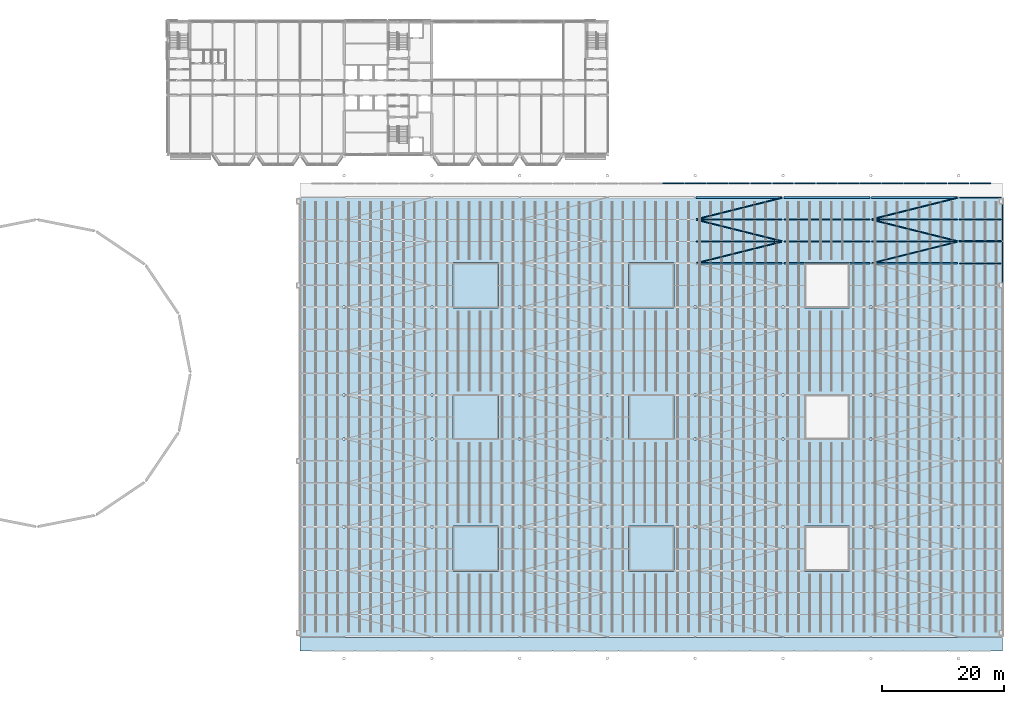
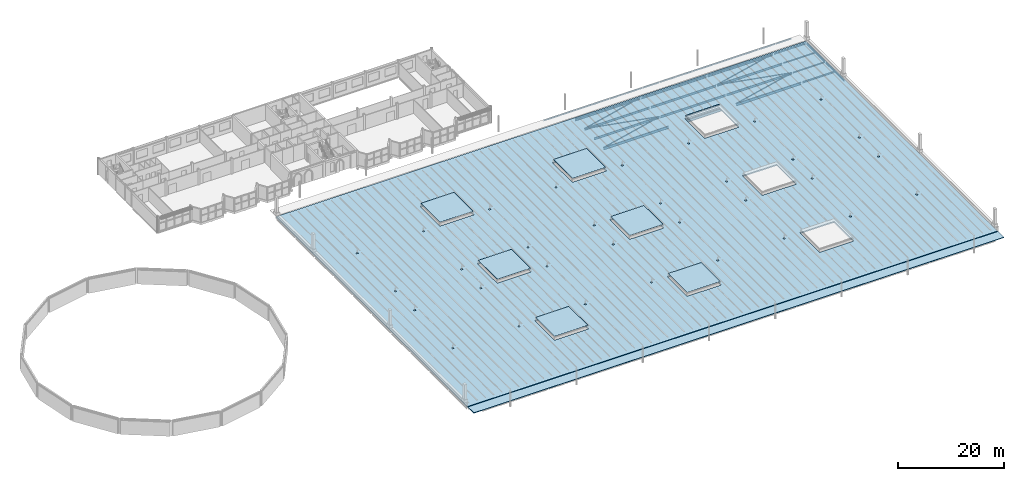
# One storey, part 57 of 120: 33 beams, 8 slabs, 7 members.
"""IFC4 building model written with IfcOpenShell, lengths in metres."""

from ifc_helpers import new_model, si_unit, direction, frame, origin, origin_2d, place, context, subcontext, project, spatial, polyline, hollow_circle, i_section, outline, extrude, material, layer, layer_set, material_profile, profile_set, type_object, element, save


model = new_model("IFC4")

# Units and contexts
model_context = context("Model", 3, precision=1e-05, world=origin(), true_north=direction((0.0, 1.0)))
body_context = subcontext(model_context, "Body", "Model", "MODEL_VIEW")
ifc_project = project(units=[si_unit("LENGTHUNIT", "METRE"), si_unit("AREAUNIT", "SQUARE_METRE"), si_unit("VOLUMEUNIT", "CUBIC_METRE"), si_unit("PLANEANGLEUNIT", "RADIAN"), si_unit("MASSUNIT", "GRAM", prefix="KILO")], contexts=[model_context])

# Site, building, storey
site_placement = place(None, origin())
site = spatial("IfcSite", under=ifc_project, at=site_placement, CompositionType="ELEMENT")
building_placement = place(site_placement, origin())
building = spatial("IfcBuilding", under=site, at=building_placement, Name="Kupolbacken Congress Centre", CompositionType="ELEMENT")
storey_placement = place(building_placement, frame((0.0, 0.0, 21.60009765625)))
storey = spatial("IfcBuildingStorey", under=building, at=storey_placement, Name="L06", CompositionType="ELEMENT", Elevation=21.60009765625)

# Beams
ifc_material_1 = material(Name="Steel S355", Category="steel")
ifc_material_profile_1 = material_profile(ifc_material_1, i_section(OverallWidth=0.10009765625, OverallDepth=0.199951171875, WebThickness=0.005615234375, FlangeThickness=0.008544921875, FilletRadius=0.011962890625, at=origin_2d()), Name="IPE 200")
ifc_profile_set_1 = profile_set([ifc_material_profile_1], Name="Steel S355")
beam_type_1 = type_object("IfcBeamType", Name="B01 beam IPE 200", PredefinedType="BEAM", material=ifc_profile_set_1)
beam_1_placement = place(storey_placement, frame((145.89990234375, 117.550048828125, 0.06982421875), z_axis=(1.0, 0.0, 0.0), x_axis=(0.0, 1.0, 0.0)))
element("IfcBeam", 1, at=beam_1_placement, inside=storey, type_object=beam_type_1, Name="S/edge/HE/N/17", PredefinedType="BEAM", context=body_context, shape_type="SweptSolid", body=[
    extrude(i_section(OverallWidth=0.10009765625, OverallDepth=0.199951171875, WebThickness=0.005615234375, FlangeThickness=0.008544921875, FilletRadius=0.011962890625, at=origin_2d()), origin(), (0.0, 0.0, 1.0), 3.400146484375),
])
for number, where, z_axis, x_axis, name in (
    (2, (149.5, 117.550048828125, 0.06982421875), (1.0, 0.0, 0.0), (0.0, 1.0, 0.0), "S/edge/HE/N/18"),
    (3, (153.10009765625, 117.550048828125, 0.06982421875), (1.0, 0.0, 0.0), (0.0, 1.0, 0.0), "S/edge/HE/N/19"),
):
    element("IfcBeam", number, at=place(storey_placement, frame(where, z_axis=z_axis, x_axis=x_axis)), inside=storey, type_object=beam_type_1, Name=name, PredefinedType="BEAM", context=body_context, shape_type="SweptSolid", body=[
        extrude(i_section(OverallWidth=0.10009765625, OverallDepth=0.199951171875, WebThickness=0.005615234375, FlangeThickness=0.008544921875, FilletRadius=0.011962890625, at=origin_2d()), origin(), (0.0, 0.0, 1.0), 3.39990234375),
    ])
beam_2_placement = place(storey_placement, frame((156.699951171875, 117.550048828125, 0.06982421875), z_axis=(1.0, 0.0, 0.0), x_axis=(0.0, 1.0, 0.0)))
element("IfcBeam", 4, at=beam_2_placement, inside=storey, type_object=beam_type_1, Name="S/edge/HE/N/20", PredefinedType="BEAM", context=body_context, shape_type="SweptSolid", body=[
    extrude(i_section(OverallWidth=0.10009765625, OverallDepth=0.199951171875, WebThickness=0.005615234375, FlangeThickness=0.008544921875, FilletRadius=0.011962890625, at=origin_2d()), origin(), (0.0, 0.0, 1.0), 3.400146484375),
])
beam_3_placement = place(storey_placement, frame((160.300048828125, 117.550048828125, 0.06982421875), z_axis=(1.0, 0.0, 0.0), x_axis=(0.0, 1.0, 0.0)))
element("IfcBeam", 5, at=beam_3_placement, inside=storey, type_object=beam_type_1, Name="S/edge/HE/N/21", PredefinedType="BEAM", context=body_context, shape_type="SweptSolid", body=[
    extrude(i_section(OverallWidth=0.10009765625, OverallDepth=0.199951171875, WebThickness=0.005615234375, FlangeThickness=0.008544921875, FilletRadius=0.011962890625, at=origin_2d()), origin(), (0.0, 0.0, 1.0), 3.39990234375),
])
beam_4_placement = place(storey_placement, frame((163.89990234375, 117.550048828125, 0.06982421875), z_axis=(1.0, 0.0, 0.0), x_axis=(0.0, 1.0, 0.0)))
element("IfcBeam", 6, at=beam_4_placement, inside=storey, type_object=beam_type_1, Name="S/edge/HE/N/22", PredefinedType="BEAM", context=body_context, shape_type="SweptSolid", body=[
    extrude(i_section(OverallWidth=0.10009765625, OverallDepth=0.199951171875, WebThickness=0.005615234375, FlangeThickness=0.008544921875, FilletRadius=0.011962890625, at=origin_2d()), origin(), (0.0, 0.0, 1.0), 3.400146484375),
])
for number, where, z_axis, x_axis, name in (
    (7, (167.5, 117.550048828125, 0.06982421875), (1.0, 0.0, 0.0), (0.0, 1.0, 0.0), "S/edge/HE/N/23"),
    (8, (171.10009765625, 117.550048828125, 0.06982421875), (1.0, 0.0, 0.0), (0.0, 1.0, 0.0), "S/edge/HE/N/24"),
):
    element("IfcBeam", number, at=place(storey_placement, frame(where, z_axis=z_axis, x_axis=x_axis)), inside=storey, type_object=beam_type_1, Name=name, PredefinedType="BEAM", context=body_context, shape_type="SweptSolid", body=[
        extrude(i_section(OverallWidth=0.10009765625, OverallDepth=0.199951171875, WebThickness=0.005615234375, FlangeThickness=0.008544921875, FilletRadius=0.011962890625, at=origin_2d()), origin(), (0.0, 0.0, 1.0), 3.39990234375),
    ])
beam_5_placement = place(storey_placement, frame((174.699951171875, 117.550048828125, 0.06982421875), z_axis=(1.0, 0.0, 0.0), x_axis=(0.0, 1.0, 0.0)))
element("IfcBeam", 9, at=beam_5_placement, inside=storey, type_object=beam_type_1, Name="S/edge/HE/N/25", PredefinedType="BEAM", context=body_context, shape_type="SweptSolid", body=[
    extrude(i_section(OverallWidth=0.10009765625, OverallDepth=0.199951171875, WebThickness=0.005615234375, FlangeThickness=0.008544921875, FilletRadius=0.011962890625, at=origin_2d()), origin(), (0.0, 0.0, 1.0), 3.400146484375),
])
beam_6_placement = place(storey_placement, frame((178.300048828125, 117.550048828125, 0.06982421875), z_axis=(1.0, 0.0, 0.0), x_axis=(0.0, 1.0, 0.0)))
element("IfcBeam", 10, at=beam_6_placement, inside=storey, type_object=beam_type_1, Name="S/edge/HE/N/26", PredefinedType="BEAM", context=body_context, shape_type="SweptSolid", body=[
    extrude(i_section(OverallWidth=0.10009765625, OverallDepth=0.199951171875, WebThickness=0.005615234375, FlangeThickness=0.008544921875, FilletRadius=0.011962890625, at=origin_2d()), origin(), (0.0, 0.0, 1.0), 3.39990234375),
])
beam_7_placement = place(storey_placement, frame((181.89990234375, 117.550048828125, 0.06982421875), z_axis=(1.0, 0.0, 0.0), x_axis=(0.0, 1.0, 0.0)))
element("IfcBeam", 11, at=beam_7_placement, inside=storey, type_object=beam_type_1, Name="S/edge/HE/N/27", PredefinedType="BEAM", context=body_context, shape_type="SweptSolid", body=[
    extrude(i_section(OverallWidth=0.10009765625, OverallDepth=0.199951171875, WebThickness=0.005615234375, FlangeThickness=0.008544921875, FilletRadius=0.011962890625, at=origin_2d()), origin(), (0.0, 0.0, 1.0), 3.400146484375),
])
for number, where, z_axis, x_axis, name in (
    (12, (185.5, 117.550048828125, 0.06982421875), (1.0, 0.0, 0.0), (0.0, 1.0, 0.0), "S/edge/HE/N/28"),
    (13, (189.10009765625, 117.550048828125, 0.06982421875), (1.0, 0.0, 0.0), (0.0, 1.0, 0.0), "S/edge/HE/N/29"),
):
    element("IfcBeam", number, at=place(storey_placement, frame(where, z_axis=z_axis, x_axis=x_axis)), inside=storey, type_object=beam_type_1, Name=name, PredefinedType="BEAM", context=body_context, shape_type="SweptSolid", body=[
        extrude(i_section(OverallWidth=0.10009765625, OverallDepth=0.199951171875, WebThickness=0.005615234375, FlangeThickness=0.008544921875, FilletRadius=0.011962890625, at=origin_2d()), origin(), (0.0, 0.0, 1.0), 3.39990234375),
    ])
beam_8_placement = place(storey_placement, frame((192.699951171875, 117.550048828125, 0.06982421875), z_axis=(1.0, 0.0, 0.0), x_axis=(0.0, 1.0, 0.0)))
element("IfcBeam", 14, at=beam_8_placement, inside=storey, type_object=beam_type_1, Name="S/edge/HE/N/30", PredefinedType="BEAM", context=body_context, shape_type="SweptSolid", body=[
    extrude(i_section(OverallWidth=0.10009765625, OverallDepth=0.199951171875, WebThickness=0.005615234375, FlangeThickness=0.008544921875, FilletRadius=0.011962890625, at=origin_2d()), origin(), (0.0, 0.0, 1.0), 3.400146484375),
])
beam_9_placement = place(storey_placement, frame((196.300048828125, 117.550048828125, 0.06982421875), z_axis=(1.0, 0.0, 0.0), x_axis=(0.0, 1.0, 0.0)))
element("IfcBeam", 15, at=beam_9_placement, inside=storey, type_object=beam_type_1, Name="S/edge/HE/N/31", PredefinedType="BEAM", context=body_context, shape_type="SweptSolid", body=[
    extrude(i_section(OverallWidth=0.10009765625, OverallDepth=0.199951171875, WebThickness=0.005615234375, FlangeThickness=0.008544921875, FilletRadius=0.011962890625, at=origin_2d()), origin(), (0.0, 0.0, 1.0), 3.39990234375),
])
ifc_material_2 = material(Name="Steel S355", Category="steel")
ifc_material_profile_2 = material_profile(ifc_material_2, i_section(OverallWidth=0.14990234375, OverallDepth=0.300048828125, WebThickness=0.007080078125, FlangeThickness=0.0107421875, FilletRadius=0.014892578125, at=origin_2d()), Name="IPE 300")
ifc_profile_set_2 = profile_set([ifc_material_profile_2], Name="Steel S355")
beam_type_2 = type_object("IfcBeamType", Name="B04 beam IPE 300", PredefinedType="BEAM", material=ifc_profile_set_2)
for number, where, z_axis, x_axis, name in (
    (16, (194.544921875, 108.0, -0.150146484375), (1.0, 0.0, 0.0), (0.0, 1.0, 0.0), "HR/P18-08"),
    (17, (194.544921875, 111.60009765625, -0.150146484375), (1.0, 0.0, 0.0), (0.0, 1.0, 0.0), "HR/P19-08"),
):
    element("IfcBeam", number, at=place(storey_placement, frame(where, z_axis=z_axis, x_axis=x_axis)), inside=storey, type_object=beam_type_2, Name=name, PredefinedType="BEAM", context=body_context, shape_type="SweptSolid", body=[
        extrude(i_section(OverallWidth=0.14990234375, OverallDepth=0.300048828125, WebThickness=0.007080078125, FlangeThickness=0.0107421875, FilletRadius=0.014892578125, at=origin_2d()), origin(), (0.0, 0.0, 1.0), 6.9150390625),
    ])
ifc_material_3 = material(Name="Steel S355", Category="steel")
ifc_material_profile_3 = material_profile(ifc_material_3, i_section(OverallWidth=0.179931640625, OverallDepth=0.39990234375, WebThickness=0.008544921875, FlangeThickness=0.013427734375, FilletRadius=0.02099609375, at=origin_2d()), Name="IPE 400")
ifc_profile_set_3 = profile_set([ifc_material_profile_3], Name="Steel S355")
beam_type_3 = type_object("IfcBeamType", Name="B07 beam IPE 400", PredefinedType="BEAM", material=ifc_profile_set_3)
for number, where, z_axis, x_axis, name in (
    (18, (201.60009765625, 100.929931640625, -0.2001953125), (0.0, 1.0, 0.0), (-1.0, 0.0, 0.0), "HR/GE09"),
    (19, (201.60009765625, 108.1298828125, -0.2001953125), (0.0, 1.0, 0.0), (-1.0, 0.0, 0.0), "HR/GE10"),
):
    element("IfcBeam", number, at=place(storey_placement, frame(where, z_axis=z_axis, x_axis=x_axis)), inside=storey, type_object=beam_type_3, Name=name, PredefinedType="BEAM", context=body_context, shape_type="SweptSolid", body=[
        extrude(i_section(OverallWidth=0.179931640625, OverallDepth=0.39990234375, WebThickness=0.008544921875, FlangeThickness=0.013427734375, FilletRadius=0.02099609375, at=origin_2d()), origin(), (0.0, 0.0, 1.0), 6.940185546875),
    ])
for number, where, z_axis, x_axis, name in (
    (20, (194.544921875, 104.39990234375, -0.2001953125), (1.0, 0.0, 0.0), (0.0, 1.0, 0.0), "HR/X17-08"),
    (21, (194.544921875, 115.199951171875, -0.2001953125), (1.0, 0.0, 0.0), (0.0, 1.0, 0.0), "HR/E20-08"),
):
    element("IfcBeam", number, at=place(storey_placement, frame(where, z_axis=z_axis, x_axis=x_axis)), inside=storey, type_object=beam_type_3, Name=name, PredefinedType="BEAM", context=body_context, shape_type="SweptSolid", body=[
        extrude(i_section(OverallWidth=0.179931640625, OverallDepth=0.39990234375, WebThickness=0.008544921875, FlangeThickness=0.013427734375, FilletRadius=0.02099609375, at=origin_2d()), origin(), (0.0, 0.0, 1.0), 6.9150390625),
    ])
ifc_material_4 = material(Name="Steel S355", Category="steel")
ifc_material_profile_4 = material_profile(ifc_material_4, i_section(OverallWidth=0.199951171875, OverallDepth=0.5, WebThickness=0.01025390625, FlangeThickness=0.01611328125, FilletRadius=0.02099609375, at=origin_2d()), Name="IPE 500")
ifc_profile_set_4 = profile_set([ifc_material_profile_4], Name="Steel S355")
beam_type_4 = type_object("IfcBeamType", Name="B09 beam IPE 500", PredefinedType="BEAM", material=ifc_profile_set_4)
beam_10_placement = place(storey_placement, frame((151.344970703125, 108.0, -0.25), z_axis=(1.0, 0.0, 0.0), x_axis=(0.0, 1.0, 0.0)))
element("IfcBeam", 22, at=beam_10_placement, inside=storey, type_object=beam_type_4, Name="HR/P18-05", PredefinedType="BEAM", context=body_context, shape_type="SweptSolid", body=[
    extrude(i_section(OverallWidth=0.199951171875, OverallDepth=0.5, WebThickness=0.01025390625, FlangeThickness=0.01611328125, FilletRadius=0.02099609375, at=origin_2d()), origin(), (0.0, 0.0, 1.0), 14.110107421875),
])
for number, where, z_axis, x_axis, name in (
    (23, (165.7451171875, 108.0, -0.25), (1.0, 0.0, 0.0), (0.0, 1.0, 0.0), "HR/P18-06"),
    (24, (180.14501953125, 108.0, -0.25), (1.0, 0.0, 0.0), (0.0, 1.0, 0.0), "HR/P18-07"),
):
    element("IfcBeam", number, at=place(storey_placement, frame(where, z_axis=z_axis, x_axis=x_axis)), inside=storey, type_object=beam_type_4, Name=name, PredefinedType="BEAM", context=body_context, shape_type="SweptSolid", body=[
        extrude(i_section(OverallWidth=0.199951171875, OverallDepth=0.5, WebThickness=0.01025390625, FlangeThickness=0.01611328125, FilletRadius=0.02099609375, at=origin_2d()), origin(), (0.0, 0.0, 1.0), 14.10986328125),
    ])
beam_11_placement = place(storey_placement, frame((151.344970703125, 111.60009765625, -0.25), z_axis=(1.0, 0.0, 0.0), x_axis=(0.0, 1.0, 0.0)))
element("IfcBeam", 25, at=beam_11_placement, inside=storey, type_object=beam_type_4, Name="HR/P19-05", PredefinedType="BEAM", context=body_context, shape_type="SweptSolid", body=[
    extrude(i_section(OverallWidth=0.199951171875, OverallDepth=0.5, WebThickness=0.01025390625, FlangeThickness=0.01611328125, FilletRadius=0.02099609375, at=origin_2d()), origin(), (0.0, 0.0, 1.0), 14.110107421875),
])
for number, where, z_axis, x_axis, name in (
    (26, (165.7451171875, 111.60009765625, -0.25), (1.0, 0.0, 0.0), (0.0, 1.0, 0.0), "HR/P19-06"),
    (27, (180.14501953125, 111.60009765625, -0.25), (1.0, 0.0, 0.0), (0.0, 1.0, 0.0), "HR/P19-07"),
):
    element("IfcBeam", number, at=place(storey_placement, frame(where, z_axis=z_axis, x_axis=x_axis)), inside=storey, type_object=beam_type_4, Name=name, PredefinedType="BEAM", context=body_context, shape_type="SweptSolid", body=[
        extrude(i_section(OverallWidth=0.199951171875, OverallDepth=0.5, WebThickness=0.01025390625, FlangeThickness=0.01611328125, FilletRadius=0.02099609375, at=origin_2d()), origin(), (0.0, 0.0, 1.0), 14.10986328125),
    ])
ifc_material_5 = material(Name="Steel S355", Category="steel")
ifc_material_profile_5 = material_profile(ifc_material_5, i_section(OverallWidth=0.219970703125, OverallDepth=0.60009765625, WebThickness=0.011962890625, FlangeThickness=0.01904296875, FilletRadius=0.02392578125, at=origin_2d()), Name="IPE 600")
ifc_profile_set_5 = profile_set([ifc_material_profile_5], Name="Steel S355")
beam_type_5 = type_object("IfcBeamType", Name="B11 beam IPE 600", PredefinedType="BEAM", material=ifc_profile_set_5)
beam_12_placement = place(storey_placement, frame((151.344970703125, 104.39990234375, -0.300048828125), z_axis=(1.0, 0.0, 0.0), x_axis=(0.0, 1.0, 0.0)))
element("IfcBeam", 28, at=beam_12_placement, inside=storey, type_object=beam_type_5, Name="HR/X17-05", PredefinedType="BEAM", context=body_context, shape_type="SweptSolid", body=[
    extrude(i_section(OverallWidth=0.219970703125, OverallDepth=0.60009765625, WebThickness=0.011962890625, FlangeThickness=0.01904296875, FilletRadius=0.02392578125, at=origin_2d()), origin(), (0.0, 0.0, 1.0), 14.110107421875),
])
for number, where, z_axis, x_axis, name in (
    (29, (165.7451171875, 104.39990234375, -0.300048828125), (1.0, 0.0, 0.0), (0.0, 1.0, 0.0), "HR/X17-06"),
    (30, (180.14501953125, 104.39990234375, -0.300048828125), (1.0, 0.0, 0.0), (0.0, 1.0, 0.0), "HR/X17-07"),
):
    element("IfcBeam", number, at=place(storey_placement, frame(where, z_axis=z_axis, x_axis=x_axis)), inside=storey, type_object=beam_type_5, Name=name, PredefinedType="BEAM", context=body_context, shape_type="SweptSolid", body=[
        extrude(i_section(OverallWidth=0.219970703125, OverallDepth=0.60009765625, WebThickness=0.011962890625, FlangeThickness=0.01904296875, FilletRadius=0.02392578125, at=origin_2d()), origin(), (0.0, 0.0, 1.0), 14.10986328125),
    ])
ifc_material_6 = material(Name="Steel S355", Category="steel")
ifc_material_profile_6 = material_profile(ifc_material_6, i_section(OverallWidth=0.300048828125, OverallDepth=0.5, WebThickness=0.014404296875, FlangeThickness=0.028076171875, FilletRadius=0.027099609375, at=origin_2d()), Name="HEB 500")
ifc_profile_set_6 = profile_set([ifc_material_profile_6], Name="Steel S355")
beam_type_6 = type_object("IfcBeamType", Name="B20 beam HEB 500", PredefinedType="BEAM", material=ifc_profile_set_6)
beam_13_placement = place(storey_placement, frame((151.344970703125, 115.199951171875, -0.25), z_axis=(1.0, 0.0, 0.0), x_axis=(0.0, 1.0, 0.0)))
element("IfcBeam", 31, at=beam_13_placement, inside=storey, type_object=beam_type_6, Name="HR/E20-05", PredefinedType="BEAM", context=body_context, shape_type="SweptSolid", body=[
    extrude(i_section(OverallWidth=0.300048828125, OverallDepth=0.5, WebThickness=0.014404296875, FlangeThickness=0.028076171875, FilletRadius=0.027099609375, at=origin_2d()), origin(), (0.0, 0.0, 1.0), 14.110107421875),
])
for number, where, z_axis, x_axis, name in (
    (32, (165.7451171875, 115.199951171875, -0.25), (1.0, 0.0, 0.0), (0.0, 1.0, 0.0), "HR/E20-06"),
    (33, (180.14501953125, 115.199951171875, -0.25), (1.0, 0.0, 0.0), (0.0, 1.0, 0.0), "HR/E20-07"),
):
    element("IfcBeam", number, at=place(storey_placement, frame(where, z_axis=z_axis, x_axis=x_axis)), inside=storey, type_object=beam_type_6, Name=name, PredefinedType="BEAM", context=body_context, shape_type="SweptSolid", body=[
        extrude(i_section(OverallWidth=0.300048828125, OverallDepth=0.5, WebThickness=0.014404296875, FlangeThickness=0.028076171875, FilletRadius=0.027099609375, at=origin_2d()), origin(), (0.0, 0.0, 1.0), 14.10986328125),
    ])

# Members
ifc_material_7 = material(Name="Steel S355", Category="steel")
ifc_material_profile_7 = material_profile(ifc_material_7, hollow_circle(Radius=0.084228515625, WallThickness=0.008056640625, at=origin_2d()), Name="CHS 168.3 x 8")
ifc_profile_set_7 = profile_set([ifc_material_profile_7], Name="Steel S355")
member_type = type_object("IfcMemberType", Name="M21 brace CHS 168.3 x 8", PredefinedType="BRACE", material=ifc_profile_set_7)
for number, where, z_axis, x_axis, name in (
    (34, (151.340576171875, 104.43505859375, -0.084228515625), (0.970140526498, 0.24254351949, 0.0), (-0.24254351949, 0.970140526498, 0.0), "HR/RB/05-17"),
    (35, (165.459228515625, 108.03515625, -0.084228515625), (-0.970140526498, 0.24254351949, 0.0), (-0.24254351949, -0.970140526498, 0.0), "HR/RB/05-18"),
    (36, (151.340576171875, 111.63525390625, -0.084228515625), (0.970144473737, 0.242527730535, 0.0), (-0.242527730535, 0.970144473737, 0.0), "HR/RB/05-19"),
    (37, (180.140625, 104.43505859375, -0.084228515625), (0.970140526498, 0.24254351949, 0.0), (-0.24254351949, 0.970140526498, 0.0), "HR/RB/07-17"),
    (38, (194.25927734375, 108.03515625, -0.084228515625), (-0.970140526498, 0.24254351949, 0.0), (-0.24254351949, -0.970140526498, 0.0), "HR/RB/07-18"),
    (39, (180.140625, 111.63525390625, -0.084228515625), (0.970144473737, 0.242527730535, 0.0), (-0.242527730535, 0.970144473737, 0.0), "HR/RB/07-19"),
):
    element("IfcMember", number, at=place(storey_placement, frame(where, z_axis=z_axis, x_axis=x_axis)), inside=storey, type_object=member_type, Name=name, PredefinedType="BRACE", context=body_context, shape_type="SweptSolid", body=[
        extrude(hollow_circle(Radius=0.084228515625, WallThickness=0.008056640625, at=origin_2d()), origin(), (0.0, 0.0, 1.0), 14.55322265625),
    ])
member_placement = place(storey_placement, frame((169.199951171875, 104.39990234375, 0.944091796875), z_axis=(1.0, 0.0, 0.0), x_axis=(0.0, 1.0, 0.0)))
element("IfcMember", 40, at=member_placement, inside=storey, type_object=member_type, Name="RD/RL9/FN", PredefinedType="BRACE", context=body_context, shape_type="SweptSolid", body=[
    extrude(hollow_circle(Radius=0.084228515625, WallThickness=0.008056640625, at=origin_2d()), origin(), (0.0, 0.0, 1.0), 7.199951171875),
])

# Slabs
ifc_material_8 = material(Name="Glass", Category="glass")
ifc_layer_1 = layer(ifc_material_8, 0.028076171875)
ifc_layer_set_1 = layer_set([ifc_layer_1], Name="Glass")
slab_type_1 = type_object("IfcSlabType", Name="GD1 rooflight glass panel 28", PredefinedType="ROOF", material=ifc_layer_set_1)
slab_1_placement = place(storey_placement, frame((0.0, 0.0, 1.018310546875)))
element("IfcSlab", 41, at=slab_1_placement, inside=storey, type_object=slab_type_1, Name="RD/RL1/glass", PredefinedType="ROOF", context=body_context, shape_type="SweptSolid", body=[
    extrude(outline(polyline([(111.60009765625, 54.0), (118.800048828125, 54.0), (118.800048828125, 61.199951171875), (111.60009765625, 61.199951171875), (111.60009765625, 54.0)])), origin(), (0.0, 0.0, 1.0), 0.02783203125),
])
slab_2_placement = place(storey_placement, frame((0.0, 0.0, 1.018310546875)))
element("IfcSlab", 42, at=slab_2_placement, inside=storey, type_object=slab_type_1, Name="RD/RL2/glass", PredefinedType="ROOF", context=body_context, shape_type="SweptSolid", body=[
    extrude(outline(polyline([(111.60009765625, 75.60009765625), (118.800048828125, 75.60009765625), (118.800048828125, 82.800048828125), (111.60009765625, 82.800048828125), (111.60009765625, 75.60009765625)])), origin(), (0.0, 0.0, 1.0), 0.02783203125),
])
slab_3_placement = place(storey_placement, frame((0.0, 0.0, 1.018310546875)))
element("IfcSlab", 43, at=slab_3_placement, inside=storey, type_object=slab_type_1, Name="RD/RL3/glass", PredefinedType="ROOF", context=body_context, shape_type="SweptSolid", body=[
    extrude(outline(polyline([(111.60009765625, 97.199951171875), (118.800048828125, 97.199951171875), (118.800048828125, 104.39990234375), (111.60009765625, 104.39990234375), (111.60009765625, 97.199951171875)])), origin(), (0.0, 0.0, 1.0), 0.02783203125),
])
slab_4_placement = place(storey_placement, frame((0.0, 0.0, 1.018310546875)))
element("IfcSlab", 44, at=slab_4_placement, inside=storey, type_object=slab_type_1, Name="RD/RL4/glass", PredefinedType="ROOF", context=body_context, shape_type="SweptSolid", body=[
    extrude(outline(polyline([(140.39990234375, 54.0), (147.60009765625, 54.0), (147.60009765625, 61.199951171875), (140.39990234375, 61.199951171875), (140.39990234375, 54.0)])), origin(), (0.0, 0.0, 1.0), 0.02783203125),
])
slab_5_placement = place(storey_placement, frame((0.0, 0.0, 1.018310546875)))
element("IfcSlab", 45, at=slab_5_placement, inside=storey, type_object=slab_type_1, Name="RD/RL5/glass", PredefinedType="ROOF", context=body_context, shape_type="SweptSolid", body=[
    extrude(outline(polyline([(140.39990234375, 75.60009765625), (147.60009765625, 75.60009765625), (147.60009765625, 82.800048828125), (140.39990234375, 82.800048828125), (140.39990234375, 75.60009765625)])), origin(), (0.0, 0.0, 1.0), 0.02783203125),
])
slab_6_placement = place(storey_placement, frame((0.0, 0.0, 1.018310546875)))
element("IfcSlab", 46, at=slab_6_placement, inside=storey, type_object=slab_type_1, Name="RD/RL6/glass", PredefinedType="ROOF", context=body_context, shape_type="SweptSolid", body=[
    extrude(outline(polyline([(140.39990234375, 97.199951171875), (147.60009765625, 97.199951171875), (147.60009765625, 104.39990234375), (140.39990234375, 104.39990234375), (140.39990234375, 97.199951171875)])), origin(), (0.0, 0.0, 1.0), 0.02783203125),
])
ifc_material_9 = material(Name="Concrete C30/37", Category="concrete")
ifc_layer_2 = layer(ifc_material_9, 0.06005859375)
ifc_material_10 = material(Name="Steel S350 profiled deck", Category="steel")
ifc_layer_3 = layer(ifc_material_10, 0.06005859375)
ifc_layer_set_2 = layer_set([ifc_layer_2, ifc_layer_3], Name="Concrete C30/37 / Steel S350 profiled deck")
slab_type_2 = type_object("IfcSlabType", Name="RS1 slab 120", PredefinedType="ROOF", material=ifc_layer_set_2)
slab_7_placement = place(storey_placement, frame((0.0, 0.0, 0.169921875)))
element("IfcSlab", 47, at=slab_7_placement, inside=storey, type_object=slab_type_2, Name="HE/Sslab", PredefinedType="ROOF", context=body_context, shape_type="SweptSolid", body=[
    extrude(outline(polyline([(86.39990234375, 40.800048828125), (201.60009765625, 40.800048828125), (201.60009765625, 43.050048828125), (86.39990234375, 43.050048828125), (86.39990234375, 40.800048828125)])), origin(), (0.0, 0.0, 1.0), 0.119873046875),
])
ifc_layer_4 = layer(ifc_material_9, 0.080078125)
ifc_layer_5 = layer(ifc_material_10, 0.06005859375)
ifc_material_11 = material(Name="Mineral wool", Category="insulation")
ifc_layer_6 = layer(ifc_material_11, 0.1201171875)
ifc_material_12 = material(Name="Roofing membrane", Category="membrane")
ifc_layer_7 = layer(ifc_material_12, 0.010009765625)
ifc_layer_set_3 = layer_set([ifc_layer_4, ifc_layer_5, ifc_layer_6, ifc_layer_7], Name="Concrete C30/37 / Steel S350 profiled deck / Mineral wool / Roofing membrane")
slab_type_3 = type_object("IfcSlabType", Name="RS2 slab 270", PredefinedType="ROOF", material=ifc_layer_set_3)
slab_8_placement = place(storey_placement, origin())
element("IfcSlab", 48, at=slab_8_placement, inside=storey, type_object=slab_type_3, Name="HR/deck", PredefinedType="ROOF", context=body_context, shape_type="SweptSolid", body=[
    extrude(outline(polyline([(86.39990234375, 43.199951171875), (201.60009765625, 43.199951171875), (201.60009765625, 115.199951171875), (86.39990234375, 115.199951171875), (86.39990234375, 43.199951171875)]), holes=[polyline([(111.489990234375, 61.31005859375), (118.909912109375, 61.31005859375), (118.909912109375, 53.889892578125), (111.489990234375, 53.889892578125), (111.489990234375, 61.31005859375)]), polyline([(111.489990234375, 82.909912109375), (118.909912109375, 82.909912109375), (118.909912109375, 75.489990234375), (111.489990234375, 75.489990234375), (111.489990234375, 82.909912109375)]), polyline([(111.489990234375, 104.510009765625), (118.909912109375, 104.510009765625), (118.909912109375, 97.090087890625), (111.489990234375, 97.090087890625), (111.489990234375, 104.510009765625)]), polyline([(140.2900390625, 61.31005859375), (147.7099609375, 61.31005859375), (147.7099609375, 53.889892578125), (140.2900390625, 53.889892578125), (140.2900390625, 61.31005859375)]), polyline([(140.2900390625, 82.909912109375), (147.7099609375, 82.909912109375), (147.7099609375, 75.489990234375), (140.2900390625, 75.489990234375), (140.2900390625, 82.909912109375)]), polyline([(140.2900390625, 104.510009765625), (147.7099609375, 104.510009765625), (147.7099609375, 97.090087890625), (140.2900390625, 97.090087890625), (140.2900390625, 104.510009765625)]), polyline([(169.090087890625, 61.31005859375), (176.510009765625, 61.31005859375), (176.510009765625, 53.889892578125), (169.090087890625, 53.889892578125), (169.090087890625, 61.31005859375)]), polyline([(169.090087890625, 82.909912109375), (176.510009765625, 82.909912109375), (176.510009765625, 75.489990234375), (169.090087890625, 75.489990234375), (169.090087890625, 82.909912109375)]), polyline([(169.090087890625, 104.510009765625), (176.510009765625, 104.510009765625), (176.510009765625, 97.090087890625), (169.090087890625, 97.090087890625), (169.090087890625, 104.510009765625)]), polyline([(93.419921875, 61.3798828125), (93.780029296875, 61.3798828125), (93.780029296875, 61.02001953125), (93.419921875, 61.02001953125), (93.419921875, 61.3798828125)]), polyline([(93.419921875, 75.780029296875), (93.780029296875, 75.780029296875), (93.780029296875, 75.419921875), (93.419921875, 75.419921875), (93.419921875, 75.780029296875)]), polyline([(107.820068359375, 61.3798828125), (108.179931640625, 61.3798828125), (108.179931640625, 61.02001953125), (107.820068359375, 61.02001953125), (107.820068359375, 61.3798828125)]), polyline([(107.820068359375, 75.780029296875), (108.179931640625, 75.780029296875), (108.179931640625, 75.419921875), (107.820068359375, 75.419921875), (107.820068359375, 75.780029296875)]), polyline([(122.219970703125, 61.3798828125), (122.580078125, 61.3798828125), (122.580078125, 61.02001953125), (122.219970703125, 61.02001953125), (122.219970703125, 61.3798828125)]), polyline([(122.219970703125, 75.780029296875), (122.580078125, 75.780029296875), (122.580078125, 75.419921875), (122.219970703125, 75.419921875), (122.219970703125, 75.780029296875)]), polyline([(136.6201171875, 61.3798828125), (136.97998046875, 61.3798828125), (136.97998046875, 61.02001953125), (136.6201171875, 61.02001953125), (136.6201171875, 61.3798828125)]), polyline([(136.6201171875, 75.780029296875), (136.97998046875, 75.780029296875), (136.97998046875, 75.419921875), (136.6201171875, 75.419921875), (136.6201171875, 75.780029296875)]), polyline([(151.02001953125, 61.3798828125), (151.3798828125, 61.3798828125), (151.3798828125, 61.02001953125), (151.02001953125, 61.02001953125), (151.02001953125, 61.3798828125)]), polyline([(151.02001953125, 75.780029296875), (151.3798828125, 75.780029296875), (151.3798828125, 75.419921875), (151.02001953125, 75.419921875), (151.02001953125, 75.780029296875)]), polyline([(165.419921875, 61.3798828125), (165.780029296875, 61.3798828125), (165.780029296875, 61.02001953125), (165.419921875, 61.02001953125), (165.419921875, 61.3798828125)]), polyline([(165.419921875, 75.780029296875), (165.780029296875, 75.780029296875), (165.780029296875, 75.419921875), (165.419921875, 75.419921875), (165.419921875, 75.780029296875)]), polyline([(179.820068359375, 61.3798828125), (180.179931640625, 61.3798828125), (180.179931640625, 61.02001953125), (179.820068359375, 61.02001953125), (179.820068359375, 61.3798828125)]), polyline([(179.820068359375, 75.780029296875), (180.179931640625, 75.780029296875), (180.179931640625, 75.419921875), (179.820068359375, 75.419921875), (179.820068359375, 75.780029296875)]), polyline([(194.219970703125, 61.3798828125), (194.580078125, 61.3798828125), (194.580078125, 61.02001953125), (194.219970703125, 61.02001953125), (194.219970703125, 61.3798828125)]), polyline([(194.219970703125, 75.780029296875), (194.580078125, 75.780029296875), (194.580078125, 75.419921875), (194.219970703125, 75.419921875), (194.219970703125, 75.780029296875)]), polyline([(93.419921875, 97.3798828125), (93.780029296875, 97.3798828125), (93.780029296875, 97.02001953125), (93.419921875, 97.02001953125), (93.419921875, 97.3798828125)]), polyline([(93.419921875, 82.97998046875), (93.780029296875, 82.97998046875), (93.780029296875, 82.6201171875), (93.419921875, 82.6201171875), (93.419921875, 82.97998046875)]), polyline([(107.820068359375, 97.3798828125), (108.179931640625, 97.3798828125), (108.179931640625, 97.02001953125), (107.820068359375, 97.02001953125), (107.820068359375, 97.3798828125)]), polyline([(107.820068359375, 82.97998046875), (108.179931640625, 82.97998046875), (108.179931640625, 82.6201171875), (107.820068359375, 82.6201171875), (107.820068359375, 82.97998046875)]), polyline([(122.219970703125, 97.3798828125), (122.580078125, 97.3798828125), (122.580078125, 97.02001953125), (122.219970703125, 97.02001953125), (122.219970703125, 97.3798828125)]), polyline([(122.219970703125, 82.97998046875), (122.580078125, 82.97998046875), (122.580078125, 82.6201171875), (122.219970703125, 82.6201171875), (122.219970703125, 82.97998046875)]), polyline([(136.6201171875, 97.3798828125), (136.97998046875, 97.3798828125), (136.97998046875, 97.02001953125), (136.6201171875, 97.02001953125), (136.6201171875, 97.3798828125)]), polyline([(136.6201171875, 82.97998046875), (136.97998046875, 82.97998046875), (136.97998046875, 82.6201171875), (136.6201171875, 82.6201171875), (136.6201171875, 82.97998046875)]), polyline([(151.02001953125, 97.3798828125), (151.3798828125, 97.3798828125), (151.3798828125, 97.02001953125), (151.02001953125, 97.02001953125), (151.02001953125, 97.3798828125)]), polyline([(151.02001953125, 82.97998046875), (151.3798828125, 82.97998046875), (151.3798828125, 82.6201171875), (151.02001953125, 82.6201171875), (151.02001953125, 82.97998046875)]), polyline([(165.419921875, 97.3798828125), (165.780029296875, 97.3798828125), (165.780029296875, 97.02001953125), (165.419921875, 97.02001953125), (165.419921875, 97.3798828125)]), polyline([(165.419921875, 82.97998046875), (165.780029296875, 82.97998046875), (165.780029296875, 82.6201171875), (165.419921875, 82.6201171875), (165.419921875, 82.97998046875)]), polyline([(179.820068359375, 97.3798828125), (180.179931640625, 97.3798828125), (180.179931640625, 97.02001953125), (179.820068359375, 97.02001953125), (179.820068359375, 97.3798828125)]), polyline([(179.820068359375, 82.97998046875), (180.179931640625, 82.97998046875), (180.179931640625, 82.6201171875), (179.820068359375, 82.6201171875), (179.820068359375, 82.97998046875)]), polyline([(194.219970703125, 97.3798828125), (194.580078125, 97.3798828125), (194.580078125, 97.02001953125), (194.219970703125, 97.02001953125), (194.219970703125, 97.3798828125)]), polyline([(194.219970703125, 82.97998046875), (194.580078125, 82.97998046875), (194.580078125, 82.6201171875), (194.219970703125, 82.6201171875), (194.219970703125, 82.97998046875)])]), origin(), (0.0, 0.0, 1.0), 0.27001953125),
])

save(model, "model.ifc")
